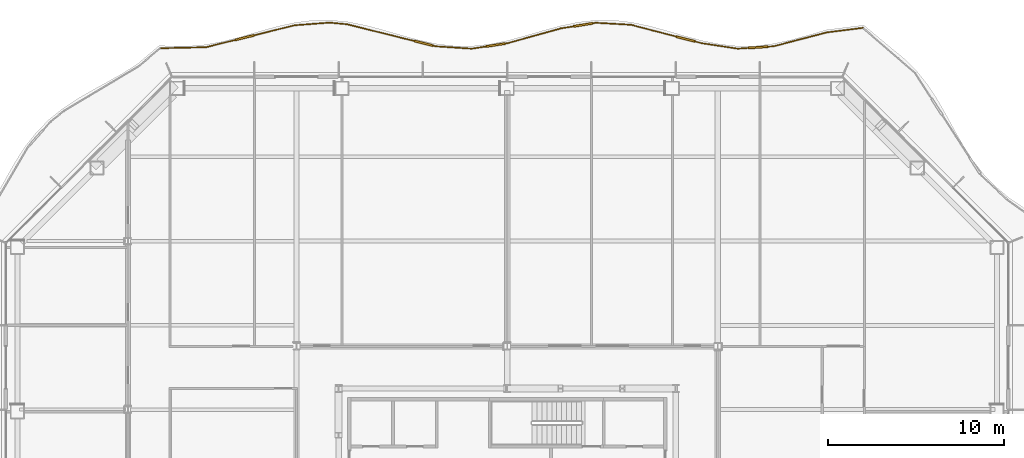
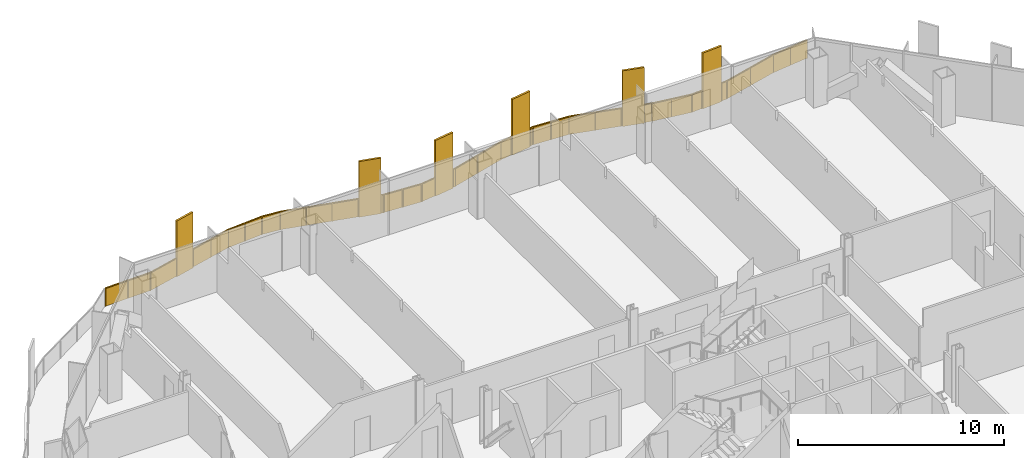
# One storey, part 22 of 23: 1 railing.
"""IFC4 building model written with IfcOpenShell, lengths in metres."""

from ifc_helpers import new_model, si_unit, direction, frame, origin, origin_2d, place, context, subcontext, project, spatial, polyline, rectangle, outline, extrude, material, type_object, element, save


model = new_model("IFC4")

# Units and contexts
model_context = context("Model", 3, precision=1e-05, world=origin(), true_north=direction((0.0, 1.0)))
body_context = subcontext(model_context, "Body", "Model", "MODEL_VIEW")
ifc_project = project(units=[si_unit("LENGTHUNIT", "METRE"), si_unit("AREAUNIT", "SQUARE_METRE"), si_unit("VOLUMEUNIT", "CUBIC_METRE"), si_unit("PLANEANGLEUNIT", "RADIAN"), si_unit("MASSUNIT", "GRAM", prefix="KILO")], contexts=[model_context])

# Site, building, storey
site_placement = place(None, origin())
site = spatial("IfcSite", under=ifc_project, at=site_placement, CompositionType="ELEMENT")
building_placement = place(site_placement, origin())
building = spatial("IfcBuilding", under=site, at=building_placement, Name="Cairn Pilgrim Tower", CompositionType="ELEMENT")
storey_placement = place(building_placement, frame((0.0, 0.0, 115.800048828125)))
storey = spatial("IfcBuildingStorey", under=building, at=storey_placement, Name="L28", CompositionType="ELEMENT", Elevation=115.800048828125)

# Railing
ifc_material = material(Name="Bronze anodised aluminium rail, posts and fin screens with laminated glass infill", Category="aluminium")
railing_type = type_object("IfcRailingType", Name="BALCONY GUARD WITH FIN SCREENS", PredefinedType="GUARDRAIL", material=ifc_material)
railing_placement = place(storey_placement, frame((27.471435546875, 31.3447265625, 0.0)))
element("IfcRailing", 1, at=railing_placement, inside=storey, type_object=railing_type, Name="Balcony guard BGF-5 with fin screens", PredefinedType="GUARDRAIL", context=body_context, shape_type="SweptSolid", body=[
    extrude(rectangle(XDim=0.050048828125, YDim=0.050048828125, at=origin_2d()), frame((0.0, 0.0, 1.0751953125), z_axis=(-0.992268799231, -0.124107332873, 0.0), x_axis=(0.124107332873, -0.992268799231, 0.0)), (0.0, 0.0, 1.0), 2.069580078125),
    extrude(rectangle(XDim=0.050048828125, YDim=0.050048828125, at=origin_2d()), frame((-2.053466796875, -0.2568359375, 1.0751953125), z_axis=(-0.967577597589, -0.252573935004, 0.0), x_axis=(0.252573935004, -0.967577597589, 0.0)), (0.0, 0.0, 1.0), 3.1376953125),
    extrude(rectangle(XDim=1.10009765625, YDim=0.110107421875, at=origin_2d()), frame((-5.983154296875, -1.108642578125, 0.0), z_axis=(0.0, 0.0, 1.0), x_axis=(-0.997802983849, -0.066251078652, 0.0)), (0.0, 0.0, 1.0), 3.300048828125),
    extrude(rectangle(XDim=0.050048828125, YDim=0.050048828125, at=origin_2d()), frame((-5.08935546875, -1.04931640625, 1.0751953125), z_axis=(-0.997802983849, -0.066251078652, 0.0), x_axis=(0.066251078652, -0.997802983849, 0.0)), (0.0, 0.0, 1.0), 0.345703125),
    extrude(rectangle(XDim=0.050048828125, YDim=0.050048828125, at=origin_2d()), frame((-6.531982421875, -1.14501953125, 1.0751953125), z_axis=(-0.997802983849, -0.066251078652, 0.0), x_axis=(0.066251078652, -0.997802983849, 0.0)), (0.0, 0.0, 1.0), 0.6103515625),
    extrude(rectangle(XDim=0.050048828125, YDim=0.050048828125, at=origin_2d()), frame((-7.14111328125, -1.185546875, 1.0751953125), z_axis=(-0.988576822322, 0.150717836928, 0.0), x_axis=(-0.150717836928, -0.988576822322, 0.0)), (0.0, 0.0, 1.0), 2.068603515625),
    extrude(rectangle(XDim=1.10009765625, YDim=0.110107421875, at=origin_2d()), frame((-10.10888671875, -0.633544921875, 0.0), z_axis=(0.0, 0.0, 1.0), x_axis=(-0.967755166448, 0.251892710918, 0.0)), (0.0, 0.0, 1.0), 3.300048828125),
    extrude(rectangle(XDim=0.050048828125, YDim=0.050048828125, at=origin_2d()), frame((-9.18603515625, -0.873779296875, 1.0751953125), z_axis=(-0.967755166448, 0.251892710918, 0.0), x_axis=(-0.251892710918, -0.967755166448, 0.0)), (0.0, 0.0, 1.0), 0.403564453125),
    extrude(rectangle(XDim=0.050048828125, YDim=0.050048828125, at=origin_2d()), frame((-10.64111328125, -0.4951171875, 1.0751953125), z_axis=(-0.967755166448, 0.251892710918, 0.0), x_axis=(-0.251892710918, -0.967755166448, 0.0)), (0.0, 0.0, 1.0), 2.666015625),
    extrude(rectangle(XDim=0.050048828125, YDim=0.050048828125, at=origin_2d()), frame((-13.22119140625, 0.176513671875, 1.0751953125), z_axis=(-0.998369739446, 0.057077695814, 0.0), x_axis=(-0.057077695814, -0.998369739446, 0.0)), (0.0, 0.0, 1.0), 1.9931640625),
    extrude(rectangle(XDim=1.10009765625, YDim=0.110107421875, at=origin_2d()), frame((-15.947021484375, 0.172119140625, 0.0), z_axis=(0.0, 0.0, 1.0), x_axis=(-0.987374244085, -0.158404867723, 0.0)), (0.0, 0.0, 1.0), 3.300048828125),
    extrude(rectangle(XDim=0.050048828125, YDim=0.050048828125, at=origin_2d()), frame((-15.211181640625, 0.290283203125, 1.0751953125), z_axis=(-0.987374244085, -0.158404867723, 0.0), x_axis=(0.158404867723, -0.987374244085, 0.0)), (0.0, 0.0, 1.0), 0.1953125),
    extrude(rectangle(XDim=0.050048828125, YDim=0.050048828125, at=origin_2d()), frame((-16.490234375, 0.085205078125, 1.0751953125), z_axis=(-0.987374244085, -0.158404867723, 0.0), x_axis=(0.158404867723, -0.987374244085, 0.0)), (0.0, 0.0, 1.0), 0.726806640625),
    extrude(rectangle(XDim=0.050048828125, YDim=0.050048828125, at=origin_2d()), frame((-17.207763671875, -0.030029296875, 1.0751953125), z_axis=(-0.963617881554, -0.267283703861, 0.0), x_axis=(0.267283703861, -0.963617881554, 0.0)), (0.0, 0.0, 1.0), 3.146728515625),
    extrude(rectangle(XDim=1.10009765625, YDim=0.110107421875, at=origin_2d()), frame((-20.931640625, -0.977294921875, 0.0), z_axis=(0.0, 0.0, 1.0), x_axis=(-0.988428898524, -0.151684912112, 0.0)), (0.0, 0.0, 1.0), 3.300048828125),
    extrude(rectangle(XDim=0.050048828125, YDim=0.050048828125, at=origin_2d()), frame((-20.239990234375, -0.87109375, 1.0751953125), z_axis=(-0.988428898524, -0.151684912112, 0.0), x_axis=(0.151684912112, -0.988428898524, 0.0)), (0.0, 0.0, 1.0), 0.14990234375),
    extrude(rectangle(XDim=0.050048828125, YDim=0.050048828125, at=origin_2d()), frame((-21.475341796875, -1.060791015625, 1.0751953125), z_axis=(-0.988428898524, -0.151684912112, 0.0), x_axis=(0.151684912112, -0.988428898524, 0.0)), (0.0, 0.0, 1.0), 0.820068359375),
    extrude(rectangle(XDim=0.050048828125, YDim=0.050048828125, at=origin_2d()), frame((-22.285888671875, -1.18505859375, 1.0751953125), z_axis=(-0.997878764068, 0.065099709846, 0.0), x_axis=(-0.065099709846, -0.997878764068, 0.0)), (0.0, 0.0, 1.0), 2.05517578125),
    extrude(rectangle(XDim=1.10009765625, YDim=0.110107421875, at=origin_2d()), frame((-25.015869140625, -0.882568359375, 0.0), z_axis=(0.0, 0.0, 1.0), x_axis=(-0.970540995734, 0.240936040477, 0.0)), (0.0, 0.0, 1.0), 3.300048828125),
    extrude(rectangle(XDim=0.050048828125, YDim=0.050048828125, at=origin_2d()), frame((-24.336669921875, -1.05126953125, 1.0751953125), z_axis=(-0.970540995734, 0.240936040477, 0.0), x_axis=(-0.240936040477, -0.970540995734, 0.0)), (0.0, 0.0, 1.0), 0.14990234375),
    extrude(rectangle(XDim=0.050048828125, YDim=0.050048828125, at=origin_2d()), frame((-25.5498046875, -0.75, 1.0751953125), z_axis=(-0.970540995734, 0.240936040477, 0.0), x_axis=(-0.240936040477, -0.970540995734, 0.0)), (0.0, 0.0, 1.0), 3.95849609375),
    extrude(rectangle(XDim=0.050048828125, YDim=0.050048828125, at=origin_2d()), frame((-29.3916015625, 0.20361328125, 1.0751953125), z_axis=(-0.995445514297, 0.095332198474, 0.0), x_axis=(-0.095332198474, -0.995445514297, 0.0)), (0.0, 0.0, 1.0), 0.990966796875),
    extrude(rectangle(XDim=0.050048828125, YDim=0.050048828125, at=origin_2d()), frame((-30.378173828125, 0.298095703125, 1.0751953125), z_axis=(-0.997236712713, -0.074289560617, 0.0), x_axis=(0.074289560617, -0.997236712713, 0.0)), (0.0, 0.0, 1.0), 2.00146484375),
    extrude(rectangle(XDim=1.10009765625, YDim=0.110107421875, at=origin_2d()), frame((-35.2255859375, -0.55712890625, 0.0), z_axis=(0.0, 0.0, 1.0), x_axis=(-0.970655842005, -0.240472943138, 0.0)), (0.0, 0.0, 1.0), 3.300048828125),
    extrude(rectangle(XDim=0.050048828125, YDim=0.050048828125, at=origin_2d()), frame((-32.3740234375, 0.1494140625, 1.0751953125), z_axis=(-0.970655842005, -0.240472943138, 0.0), x_axis=(0.240472943138, -0.970655842005, 0.0)), (0.0, 0.0, 1.0), 2.3876953125),
    extrude(rectangle(XDim=0.050048828125, YDim=0.050048828125, at=origin_2d()), frame((-35.759521484375, -0.689208984375, 1.0751953125), z_axis=(-0.970655842005, -0.240472943138, 0.0), x_axis=(0.240472943138, -0.970655842005, 0.0)), (0.0, 0.0, 1.0), 1.721435546875),
    extrude(rectangle(XDim=0.050048828125, YDim=0.050048828125, at=origin_2d()), frame((-37.430419921875, -1.103271484375, 1.0751953125), z_axis=(-0.999757302855, -0.022030328814, 0.0), x_axis=(0.022030328814, -0.999757302855, 0.0)), (0.0, 0.0, 1.0), 2.56005859375),
    extrude(rectangle(XDim=0.050048828125, YDim=0.050048828125, at=origin_2d()), origin(), (0.0, 0.0, 1.0), 1.050048828125),
    extrude(rectangle(XDim=0.050048828125, YDim=0.050048828125, at=origin_2d()), frame((-1.02685546875, -0.12841796875, 0.0)), (0.0, 0.0, 1.0), 1.050048828125),
    extrude(rectangle(XDim=0.050048828125, YDim=0.050048828125, at=origin_2d()), frame((-2.053466796875, -0.2568359375, 0.0)), (0.0, 0.0, 1.0), 1.050048828125),
    extrude(rectangle(XDim=0.050048828125, YDim=0.050048828125, at=origin_2d()), frame((-3.5712890625, -0.653076171875, 0.0)), (0.0, 0.0, 1.0), 1.050048828125),
    extrude(rectangle(XDim=0.050048828125, YDim=0.050048828125, at=origin_2d()), frame((-5.08935546875, -1.04931640625, 0.0)), (0.0, 0.0, 1.0), 1.050048828125),
    extrude(rectangle(XDim=0.050048828125, YDim=0.050048828125, at=origin_2d()), frame((-5.409423828125, -1.070556640625, 0.0)), (0.0, 0.0, 1.0), 1.050048828125),
    extrude(rectangle(XDim=0.050048828125, YDim=0.050048828125, at=origin_2d()), frame((-6.556884765625, -1.146728515625, 0.0)), (0.0, 0.0, 1.0), 1.050048828125),
    extrude(rectangle(XDim=0.050048828125, YDim=0.050048828125, at=origin_2d()), frame((-7.14111328125, -1.185546875, 0.0)), (0.0, 0.0, 1.0), 1.050048828125),
    extrude(rectangle(XDim=0.050048828125, YDim=0.050048828125, at=origin_2d()), frame((-8.16357421875, -1.02978515625, 0.0)), (0.0, 0.0, 1.0), 1.050048828125),
    extrude(rectangle(XDim=0.050048828125, YDim=0.050048828125, at=origin_2d()), frame((-9.18603515625, -0.873779296875, 0.0)), (0.0, 0.0, 1.0), 1.050048828125),
    extrude(rectangle(XDim=0.050048828125, YDim=0.050048828125, at=origin_2d()), frame((-9.55224609375, -0.778564453125, 0.0)), (0.0, 0.0, 1.0), 1.050048828125),
    extrude(rectangle(XDim=0.050048828125, YDim=0.050048828125, at=origin_2d()), frame((-10.665283203125, -0.48876953125, 0.0)), (0.0, 0.0, 1.0), 1.050048828125),
    extrude(rectangle(XDim=0.050048828125, YDim=0.050048828125, at=origin_2d()), frame((-11.943115234375, -0.156005859375, 0.0)), (0.0, 0.0, 1.0), 1.050048828125),
    extrude(rectangle(XDim=0.050048828125, YDim=0.050048828125, at=origin_2d()), frame((-13.22119140625, 0.176513671875, 0.0)), (0.0, 0.0, 1.0), 1.050048828125),
    extrude(rectangle(XDim=0.050048828125, YDim=0.050048828125, at=origin_2d()), frame((-14.21630859375, 0.2333984375, 0.0)), (0.0, 0.0, 1.0), 1.050048828125),
    extrude(rectangle(XDim=0.050048828125, YDim=0.050048828125, at=origin_2d()), frame((-15.211181640625, 0.290283203125, 0.0)), (0.0, 0.0, 1.0), 1.050048828125),
    extrude(rectangle(XDim=0.050048828125, YDim=0.050048828125, at=origin_2d()), frame((-15.37939453125, 0.26318359375, 0.0)), (0.0, 0.0, 1.0), 1.050048828125),
    extrude(rectangle(XDim=0.050048828125, YDim=0.050048828125, at=origin_2d()), frame((-16.514892578125, 0.0810546875, 0.0)), (0.0, 0.0, 1.0), 1.050048828125),
    extrude(rectangle(XDim=0.050048828125, YDim=0.050048828125, at=origin_2d()), frame((-17.207763671875, -0.030029296875, 0.0)), (0.0, 0.0, 1.0), 1.050048828125),
    extrude(rectangle(XDim=0.050048828125, YDim=0.050048828125, at=origin_2d()), frame((-18.723876953125, -0.45068359375, 0.0)), (0.0, 0.0, 1.0), 1.050048828125),
    extrude(rectangle(XDim=0.050048828125, YDim=0.050048828125, at=origin_2d()), frame((-20.239990234375, -0.87109375, 0.0)), (0.0, 0.0, 1.0), 1.050048828125),
    extrude(rectangle(XDim=0.050048828125, YDim=0.050048828125, at=origin_2d()), frame((-20.36328125, -0.89013671875, 0.0)), (0.0, 0.0, 1.0), 1.050048828125),
    extrude(rectangle(XDim=0.050048828125, YDim=0.050048828125, at=origin_2d()), frame((-21.5, -1.064453125, 0.0)), (0.0, 0.0, 1.0), 1.050048828125),
    extrude(rectangle(XDim=0.050048828125, YDim=0.050048828125, at=origin_2d()), frame((-22.285888671875, -1.18505859375, 0.0)), (0.0, 0.0, 1.0), 1.050048828125),
    extrude(rectangle(XDim=0.050048828125, YDim=0.050048828125, at=origin_2d()), frame((-23.311279296875, -1.1181640625, 0.0)), (0.0, 0.0, 1.0), 1.050048828125),
    extrude(rectangle(XDim=0.050048828125, YDim=0.050048828125, at=origin_2d()), frame((-24.336669921875, -1.05126953125, 0.0)), (0.0, 0.0, 1.0), 1.050048828125),
    extrude(rectangle(XDim=0.050048828125, YDim=0.050048828125, at=origin_2d()), frame((-24.4580078125, -1.021240234375, 0.0)), (0.0, 0.0, 1.0), 1.050048828125),
    extrude(rectangle(XDim=0.050048828125, YDim=0.050048828125, at=origin_2d()), frame((-25.573974609375, -0.744140625, 0.0)), (0.0, 0.0, 1.0), 1.050048828125),
    extrude(rectangle(XDim=0.050048828125, YDim=0.050048828125, at=origin_2d()), frame((-26.8466796875, -0.42822265625, 0.0)), (0.0, 0.0, 1.0), 1.050048828125),
    extrude(rectangle(XDim=0.050048828125, YDim=0.050048828125, at=origin_2d()), frame((-28.119140625, -0.1123046875, 0.0)), (0.0, 0.0, 1.0), 1.050048828125),
    extrude(rectangle(XDim=0.050048828125, YDim=0.050048828125, at=origin_2d()), frame((-29.3916015625, 0.20361328125, 0.0)), (0.0, 0.0, 1.0), 1.050048828125),
    extrude(rectangle(XDim=0.050048828125, YDim=0.050048828125, at=origin_2d()), frame((-30.378173828125, 0.298095703125, 0.0)), (0.0, 0.0, 1.0), 1.050048828125),
    extrude(rectangle(XDim=0.050048828125, YDim=0.050048828125, at=origin_2d()), frame((-31.3759765625, 0.2236328125, 0.0)), (0.0, 0.0, 1.0), 1.050048828125),
    extrude(rectangle(XDim=0.050048828125, YDim=0.050048828125, at=origin_2d()), frame((-32.3740234375, 0.1494140625, 0.0)), (0.0, 0.0, 1.0), 1.050048828125),
    extrude(rectangle(XDim=0.050048828125, YDim=0.050048828125, at=origin_2d()), frame((-33.520751953125, -0.134765625, 0.0)), (0.0, 0.0, 1.0), 1.050048828125),
    extrude(rectangle(XDim=0.050048828125, YDim=0.050048828125, at=origin_2d()), frame((-34.66748046875, -0.418701171875, 0.0)), (0.0, 0.0, 1.0), 1.050048828125),
    extrude(rectangle(XDim=0.050048828125, YDim=0.050048828125, at=origin_2d()), frame((-35.78369140625, -0.6953125, 0.0)), (0.0, 0.0, 1.0), 1.050048828125),
    extrude(rectangle(XDim=0.050048828125, YDim=0.050048828125, at=origin_2d()), frame((-37.430419921875, -1.103271484375, 0.0)), (0.0, 0.0, 1.0), 1.050048828125),
    extrude(rectangle(XDim=0.050048828125, YDim=0.050048828125, at=origin_2d()), frame((-38.7099609375, -1.13134765625, 0.0)), (0.0, 0.0, 1.0), 1.050048828125),
    extrude(rectangle(XDim=0.050048828125, YDim=0.050048828125, at=origin_2d()), frame((-39.98974609375, -1.15966796875, 0.0)), (0.0, 0.0, 1.0), 1.050048828125),
    extrude(outline(polyline([(0.02490234375, 0.0), (1.009765625, 0.0), (1.009765625, 1.050048828125), (0.02490234375, 1.050048828125), (0.02490234375, 0.0)])), frame((0.000732421875, -0.005859375, 0.0), z_axis=(-0.124107332873, 0.992268799231, 0.0), x_axis=(-0.992268799231, -0.124107332873, 0.0)), (0.0, 0.0, 1.0), 0.011962890625),
    extrude(outline(polyline([(0.02490234375, 0.0), (1.009765625, 0.0), (1.009765625, 1.050048828125), (0.02490234375, 1.050048828125), (0.02490234375, 0.0)])), frame((-1.02587890625, -0.13427734375, 0.0), z_axis=(-0.124107332873, 0.992268799231, 0.0), x_axis=(-0.992268799231, -0.124107332873, 0.0)), (0.0, 0.0, 1.0), 0.011962890625),
    extrude(outline(polyline([(0.02490234375, 0.0), (1.543701171875, 0.0), (1.543701171875, 1.050048828125), (0.02490234375, 1.050048828125), (0.02490234375, 0.0)])), frame((-2.052001953125, -0.2626953125, 0.0), z_axis=(-0.252573935004, 0.967577597589, 0.0), x_axis=(-0.967577597589, -0.252573935004, 0.0)), (0.0, 0.0, 1.0), 0.011962890625),
    extrude(outline(polyline([(0.02490234375, 0.0), (1.543701171875, 0.0), (1.543701171875, 1.050048828125), (0.02490234375, 1.050048828125), (0.02490234375, 0.0)])), frame((-3.56982421875, -0.658935546875, 0.0), z_axis=(-0.252573935004, 0.967577597589, 0.0), x_axis=(-0.967577597589, -0.252573935004, 0.0)), (0.0, 0.0, 1.0), 0.011962890625),
    extrude(outline(polyline([(0.02490234375, 0.0), (0.295654296875, 0.0), (0.295654296875, 1.050048828125), (0.02490234375, 1.050048828125), (0.02490234375, 0.0)])), frame((-5.0888671875, -1.05517578125, 0.0), z_axis=(-0.066251078652, 0.997802983849, 0.0), x_axis=(-0.997802983849, -0.066251078652, 0.0)), (0.0, 0.0, 1.0), 0.011962890625),
    extrude(outline(polyline([(0.02490234375, 0.0), (0.560302734375, 0.0), (0.560302734375, 1.050048828125), (0.02490234375, 1.050048828125), (0.02490234375, 0.0)])), frame((-6.556640625, -1.15283203125, 0.0), z_axis=(-0.066251078652, 0.997802983849, 0.0), x_axis=(-0.997802983849, -0.066251078652, 0.0)), (0.0, 0.0, 1.0), 0.011962890625),
    extrude(outline(polyline([(0.02490234375, 0.0), (1.00927734375, 0.0), (1.00927734375, 1.050048828125), (0.02490234375, 1.050048828125), (0.02490234375, 0.0)])), frame((-7.14208984375, -1.19140625, 0.0), z_axis=(0.150717836928, 0.988576822322, 0.0), x_axis=(-0.988576822322, 0.150717836928, 0.0)), (0.0, 0.0, 1.0), 0.011962890625),
    extrude(outline(polyline([(0.02490234375, 0.0), (1.00927734375, 0.0), (1.00927734375, 1.050048828125), (0.02490234375, 1.050048828125), (0.02490234375, 0.0)])), frame((-8.16455078125, -1.03564453125, 0.0), z_axis=(0.150717836928, 0.988576822322, 0.0), x_axis=(-0.988576822322, 0.150717836928, 0.0)), (0.0, 0.0, 1.0), 0.011962890625),
    extrude(outline(polyline([(0.02490234375, 0.0), (0.353515625, 0.0), (0.353515625, 1.050048828125), (0.02490234375, 1.050048828125), (0.02490234375, 0.0)])), frame((-9.1875, -0.879638671875, 0.0), z_axis=(0.251892710918, 0.967755166448, 0.0), x_axis=(-0.967755166448, 0.251892710918, 0.0)), (0.0, 0.0, 1.0), 0.011962890625),
    extrude(outline(polyline([(0.02490234375, 0.0), (1.29541015625, 0.0), (1.29541015625, 1.050048828125), (0.02490234375, 1.050048828125), (0.02490234375, 0.0)])), frame((-10.666748046875, -0.49462890625, 0.0), z_axis=(0.251892710918, 0.967755166448, 0.0), x_axis=(-0.967755166448, 0.251892710918, 0.0)), (0.0, 0.0, 1.0), 0.011962890625),
    extrude(outline(polyline([(0.02490234375, 0.0), (1.29541015625, 0.0), (1.29541015625, 1.050048828125), (0.02490234375, 1.050048828125), (0.02490234375, 0.0)])), frame((-11.94482421875, -0.161865234375, 0.0), z_axis=(0.251892710918, 0.967755166448, 0.0), x_axis=(-0.967755166448, 0.251892710918, 0.0)), (0.0, 0.0, 1.0), 0.011962890625),
    extrude(outline(polyline([(0.02490234375, 0.0), (0.9716796875, 0.0), (0.9716796875, 1.050048828125), (0.02490234375, 1.050048828125), (0.02490234375, 0.0)])), frame((-13.221435546875, 0.170654296875, 0.0), z_axis=(0.057077695814, 0.998369739446, 0.0), x_axis=(-0.998369739446, 0.057077695814, 0.0)), (0.0, 0.0, 1.0), 0.011962890625),
    extrude(outline(polyline([(0.02490234375, 0.0), (0.9716796875, 0.0), (0.9716796875, 1.050048828125), (0.02490234375, 1.050048828125), (0.02490234375, 0.0)])), frame((-14.216552734375, 0.2275390625, 0.0), z_axis=(0.057077695814, 0.998369739446, 0.0), x_axis=(-0.998369739446, 0.057077695814, 0.0)), (0.0, 0.0, 1.0), 0.011962890625),
    extrude(outline(polyline([(0.02490234375, 0.0), (0.145263671875, 0.0), (0.145263671875, 1.050048828125), (0.02490234375, 1.050048828125), (0.02490234375, 0.0)])), frame((-15.210205078125, 0.284423828125, 0.0), z_axis=(-0.158404867723, 0.987374244085, 0.0), x_axis=(-0.987374244085, -0.158404867723, 0.0)), (0.0, 0.0, 1.0), 0.011962890625),
    extrude(outline(polyline([(0.02490234375, 0.0), (0.6767578125, 0.0), (0.6767578125, 1.050048828125), (0.02490234375, 1.050048828125), (0.02490234375, 0.0)])), frame((-16.513916015625, 0.0751953125, 0.0), z_axis=(-0.158404867723, 0.987374244085, 0.0), x_axis=(-0.987374244085, -0.158404867723, 0.0)), (0.0, 0.0, 1.0), 0.011962890625),
    extrude(outline(polyline([(0.02490234375, 0.0), (1.54833984375, 0.0), (1.54833984375, 1.050048828125), (0.02490234375, 1.050048828125), (0.02490234375, 0.0)])), frame((-17.2060546875, -0.035888671875, 0.0), z_axis=(-0.267283703861, 0.963617881554, 0.0), x_axis=(-0.963617881554, -0.267283703861, 0.0)), (0.0, 0.0, 1.0), 0.011962890625),
    extrude(outline(polyline([(0.02490234375, 0.0), (1.54833984375, 0.0), (1.54833984375, 1.050048828125), (0.02490234375, 1.050048828125), (0.02490234375, 0.0)])), frame((-18.72216796875, -0.456298828125, 0.0), z_axis=(-0.267283703861, 0.963617881554, 0.0), x_axis=(-0.963617881554, -0.267283703861, 0.0)), (0.0, 0.0, 1.0), 0.011962890625),
    extrude(outline(polyline([(0.02490234375, 0.0), (0.099853515625, 0.0), (0.099853515625, 1.050048828125), (0.02490234375, 1.050048828125), (0.02490234375, 0.0)])), frame((-20.239013671875, -0.876953125, 0.0), z_axis=(-0.151684912112, 0.988428898524, 0.0), x_axis=(-0.988428898524, -0.151684912112, 0.0)), (0.0, 0.0, 1.0), 0.011962890625),
    extrude(outline(polyline([(0.02490234375, 0.0), (0.77001953125, 0.0), (0.77001953125, 1.050048828125), (0.02490234375, 1.050048828125), (0.02490234375, 0.0)])), frame((-21.499267578125, -1.0703125, 0.0), z_axis=(-0.151684912112, 0.988428898524, 0.0), x_axis=(-0.988428898524, -0.151684912112, 0.0)), (0.0, 0.0, 1.0), 0.011962890625),
    extrude(outline(polyline([(0.02490234375, 0.0), (1.00244140625, 0.0), (1.00244140625, 1.050048828125), (0.02490234375, 1.050048828125), (0.02490234375, 0.0)])), frame((-22.286376953125, -1.19091796875, 0.0), z_axis=(0.065099709846, 0.997878764068, 0.0), x_axis=(-0.997878764068, 0.065099709846, 0.0)), (0.0, 0.0, 1.0), 0.011962890625),
    extrude(outline(polyline([(0.02490234375, 0.0), (1.00244140625, 0.0), (1.00244140625, 1.050048828125), (0.02490234375, 1.050048828125), (0.02490234375, 0.0)])), frame((-23.311767578125, -1.1240234375, 0.0), z_axis=(0.065099709846, 0.997878764068, 0.0), x_axis=(-0.997878764068, 0.065099709846, 0.0)), (0.0, 0.0, 1.0), 0.011962890625),
    extrude(outline(polyline([(0.02490234375, 0.0), (0.099853515625, 0.0), (0.099853515625, 1.050048828125), (0.02490234375, 1.050048828125), (0.02490234375, 0.0)])), frame((-24.338134765625, -1.05712890625, 0.0), z_axis=(0.240936040477, 0.970540995734, 0.0), x_axis=(-0.970540995734, 0.240936040477, 0.0)), (0.0, 0.0, 1.0), 0.011962890625),
    extrude(outline(polyline([(0.02490234375, 0.0), (1.2861328125, 0.0), (1.2861328125, 1.050048828125), (0.02490234375, 1.050048828125), (0.02490234375, 0.0)])), frame((-25.575439453125, -0.75, 0.0), z_axis=(0.240936040477, 0.970540995734, 0.0), x_axis=(-0.970540995734, 0.240936040477, 0.0)), (0.0, 0.0, 1.0), 0.011962890625),
    extrude(outline(polyline([(0.02490234375, 0.0), (1.2861328125, 0.0), (1.2861328125, 1.050048828125), (0.02490234375, 1.050048828125), (0.02490234375, 0.0)])), frame((-26.847900390625, -0.43408203125, 0.0), z_axis=(0.240936040477, 0.970540995734, 0.0), x_axis=(-0.970540995734, 0.240936040477, 0.0)), (0.0, 0.0, 1.0), 0.011962890625),
    extrude(outline(polyline([(0.02490234375, 0.0), (1.2861328125, 0.0), (1.2861328125, 1.050048828125), (0.02490234375, 1.050048828125), (0.02490234375, 0.0)])), frame((-28.12060546875, -0.1181640625, 0.0), z_axis=(0.240936040477, 0.970540995734, 0.0), x_axis=(-0.970540995734, 0.240936040477, 0.0)), (0.0, 0.0, 1.0), 0.011962890625),
    extrude(outline(polyline([(0.02490234375, 0.0), (0.966064453125, 0.0), (0.966064453125, 1.050048828125), (0.02490234375, 1.050048828125), (0.02490234375, 0.0)])), frame((-29.39208984375, 0.19775390625, 0.0), z_axis=(0.095332198474, 0.995445514297, 0.0), x_axis=(-0.995445514297, 0.095332198474, 0.0)), (0.0, 0.0, 1.0), 0.011962890625),
    extrude(outline(polyline([(0.02490234375, 0.0), (0.9755859375, 0.0), (0.9755859375, 1.050048828125), (0.02490234375, 1.050048828125), (0.02490234375, 0.0)])), frame((-30.377685546875, 0.292236328125, 0.0), z_axis=(-0.074289560617, 0.997236712713, 0.0), x_axis=(-0.997236712713, -0.074289560617, 0.0)), (0.0, 0.0, 1.0), 0.011962890625),
    extrude(outline(polyline([(0.02490234375, 0.0), (0.9755859375, 0.0), (0.9755859375, 1.050048828125), (0.02490234375, 1.050048828125), (0.02490234375, 0.0)])), frame((-31.375732421875, 0.2177734375, 0.0), z_axis=(-0.074289560617, 0.997236712713, 0.0), x_axis=(-0.997236712713, -0.074289560617, 0.0)), (0.0, 0.0, 1.0), 0.011962890625),
    extrude(outline(polyline([(0.02490234375, 0.0), (1.15625, 0.0), (1.15625, 1.050048828125), (0.02490234375, 1.050048828125), (0.02490234375, 0.0)])), frame((-32.37255859375, 0.1435546875, 0.0), z_axis=(-0.240472943138, 0.970655842005, 0.0), x_axis=(-0.970655842005, -0.240472943138, 0.0)), (0.0, 0.0, 1.0), 0.011962890625),
    extrude(outline(polyline([(0.02490234375, 0.0), (1.15625, 0.0), (1.15625, 1.050048828125), (0.02490234375, 1.050048828125), (0.02490234375, 0.0)])), frame((-33.519287109375, -0.140380859375, 0.0), z_axis=(-0.240472943138, 0.970655842005, 0.0), x_axis=(-0.970655842005, -0.240472943138, 0.0)), (0.0, 0.0, 1.0), 0.011962890625),
    extrude(outline(polyline([(0.02490234375, 0.0), (1.67138671875, 0.0), (1.67138671875, 1.050048828125), (0.02490234375, 1.050048828125), (0.02490234375, 0.0)])), frame((-35.7822265625, -0.701171875, 0.0), z_axis=(-0.240472943138, 0.970655842005, 0.0), x_axis=(-0.970655842005, -0.240472943138, 0.0)), (0.0, 0.0, 1.0), 0.011962890625),
    extrude(outline(polyline([(0.02490234375, 0.0), (1.2548828125, 0.0), (1.2548828125, 1.050048828125), (0.02490234375, 1.050048828125), (0.02490234375, 0.0)])), frame((-37.43017578125, -1.109130859375, 0.0), z_axis=(-0.022030328814, 0.999757302855, 0.0), x_axis=(-0.999757302855, -0.022030328814, 0.0)), (0.0, 0.0, 1.0), 0.011962890625),
    extrude(outline(polyline([(0.02490234375, 0.0), (1.2548828125, 0.0), (1.2548828125, 1.050048828125), (0.02490234375, 1.050048828125), (0.02490234375, 0.0)])), frame((-38.7099609375, -1.137451171875, 0.0), z_axis=(-0.022030328814, 0.999757302855, 0.0), x_axis=(-0.999757302855, -0.022030328814, 0.0)), (0.0, 0.0, 1.0), 0.011962890625),
])

save(model, "model.ifc")
